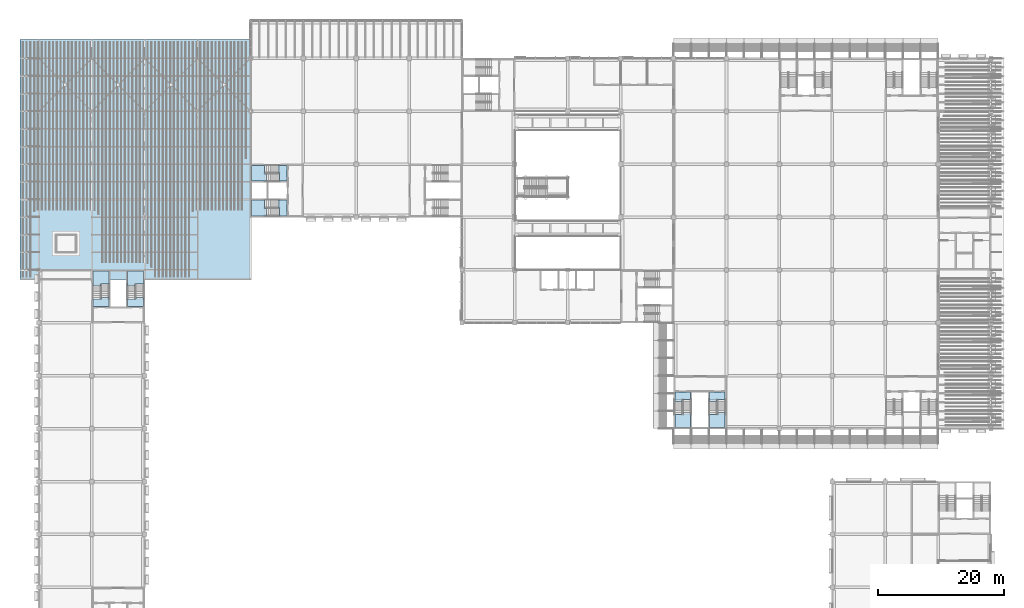
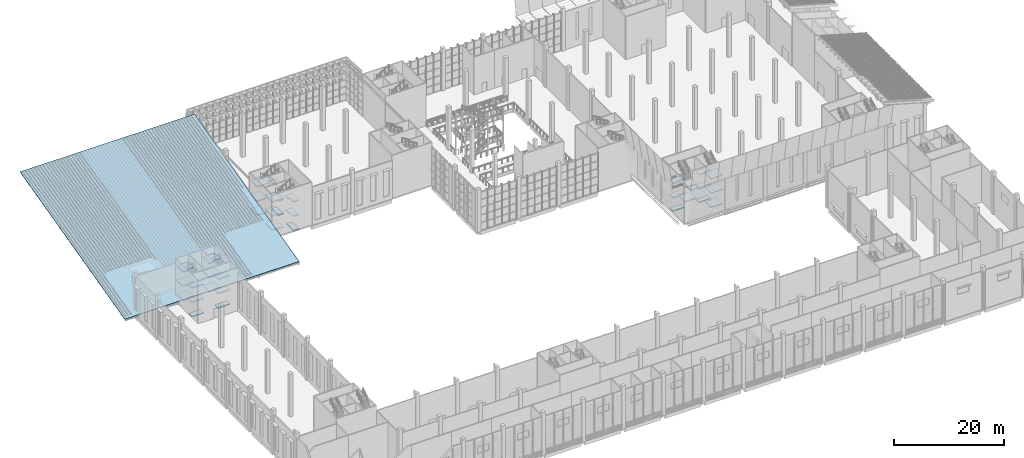
# One storey, part 31 of 114: 36 slabs, 6 elements without a shape of their own.
"""IFC4 building model written with IfcOpenShell, lengths in metres."""

from ifc_helpers import new_model, si_unit, direction, frame, origin, place, context, subcontext, project, spatial, polyline, outline, extrude, material, layer, layer_set, type_object, element, aggregate, save


model = new_model("IFC4")

# Units and contexts
model_context = context("Model", 3, precision=1e-05, world=origin(), true_north=direction((0.0, 1.0)))
body_context = subcontext(model_context, "Body", "Model", "MODEL_VIEW")
ifc_project = project(units=[si_unit("LENGTHUNIT", "METRE"), si_unit("AREAUNIT", "SQUARE_METRE"), si_unit("VOLUMEUNIT", "CUBIC_METRE"), si_unit("PLANEANGLEUNIT", "RADIAN"), si_unit("MASSUNIT", "GRAM", prefix="KILO")], contexts=[model_context])

# Site, building, storey
site_placement = place(None, origin())
site = spatial("IfcSite", under=ifc_project, at=site_placement, CompositionType="ELEMENT")
building_placement = place(site_placement, origin())
building = spatial("IfcBuilding", under=site, at=building_placement, Name="Almond Square Museum", CompositionType="ELEMENT")
storey_placement = place(building_placement, frame((0.0, 0.0, 10.5)))
storey = spatial("IfcBuildingStorey", under=building, at=storey_placement, Name="L02", CompositionType="ELEMENT", Elevation=10.5)

# Stair, slabs
ifc_material_1 = material(Name="Concrete C40/50", Category="concrete")
stair_type = type_object("IfcStairType", Name="Exit stair 54 risers of 176 mm", PredefinedType="HALF_TURN_STAIR", material=ifc_material_1)
stair_1_placement = place(storey_placement, origin())
stair_1 = element("IfcStair", 1, at=stair_1_placement, inside=storey, type_object=stair_type, Name="L02 stair H1-1", PredefinedType="HALF_TURN_STAIR")
ifc_material_2 = material(Name="Concrete C40/50", Category="concrete")
ifc_layer_1 = layer(ifc_material_2, 0.199951171875)
ifc_layer_set_1 = layer_set([ifc_layer_1], Name="Concrete C40/50")
slab_type_1 = type_object("IfcSlabType", Name="Concrete stair landing 200", PredefinedType="LANDING", material=ifc_layer_set_1)
slab_1_placement = place(storey_placement, frame((0.0, 0.0, 2.966552734375)))
slab_1 = element("IfcSlab", 2, at=slab_1_placement, type_object=slab_type_1, Name="ST-01 landing 2", PredefinedType="LANDING", context=body_context, shape_type="SweptSolid", body=[
    extrude(outline(polyline([(107.0, 56.199951171875), (107.0, 55.050048828125), (107.0, 54.75), (108.14990234375, 54.75), (108.14990234375, 55.047119140625), (109.5, 55.047119140625), (109.5, 56.199951171875), (107.0, 56.199951171875)])), origin(), (0.0, 0.0, 1.0), 0.2001953125),
])
slab_2_placement = place(storey_placement, frame((0.0, 0.0, 4.550048828125)))
slab_2 = element("IfcSlab", 3, at=slab_2_placement, type_object=slab_type_1, Name="ST-01 landing 3", PredefinedType="LANDING", context=body_context, shape_type="SweptSolid", body=[
    extrude(outline(polyline([(107.0, 52.653076171875), (107.0, 50.60009765625), (109.5, 50.60009765625), (109.5, 52.949951171875), (108.35009765625, 52.949951171875), (108.35009765625, 52.653076171875), (107.0, 52.653076171875)])), origin(), (0.0, 0.0, 1.0), 0.199951171875),
])
slab_3_placement = place(storey_placement, frame((0.0, 0.0, 6.13330078125)))
slab_3 = element("IfcSlab", 4, at=slab_3_placement, type_object=slab_type_1, Name="ST-01 landing 4", PredefinedType="LANDING", context=body_context, shape_type="SweptSolid", body=[
    extrude(outline(polyline([(107.0, 56.199951171875), (107.0, 55.050048828125), (107.0, 54.75), (108.14990234375, 54.75), (108.14990234375, 55.047119140625), (109.5, 55.047119140625), (109.5, 56.199951171875), (107.0, 56.199951171875)])), origin(), (0.0, 0.0, 1.0), 0.199951171875),
])
slab_4_placement = place(storey_placement, frame((0.0, 0.0, 7.716552734375)))
slab_4 = element("IfcSlab", 5, at=slab_4_placement, type_object=slab_type_1, Name="ST-01 landing 5", PredefinedType="LANDING", context=body_context, shape_type="SweptSolid", body=[
    extrude(outline(polyline([(107.0, 52.653076171875), (107.0, 50.60009765625), (109.5, 50.60009765625), (109.5, 52.949951171875), (108.35009765625, 52.949951171875), (108.35009765625, 52.653076171875), (107.0, 52.653076171875)])), origin(), (0.0, 0.0, 1.0), 0.2001953125),
])
aggregate(stair_1, [slab_1, slab_2, slab_3, slab_4])

stair_2_placement = place(storey_placement, origin())
stair_2 = element("IfcStair", 6, at=stair_2_placement, inside=storey, type_object=stair_type, Name="L02 stair H1-2", PredefinedType="HALF_TURN_STAIR")
slab_5_placement = place(storey_placement, frame((0.0, 0.0, 1.38330078125)))
slab_5 = element("IfcSlab", 7, at=slab_5_placement, type_object=slab_type_1, Name="ST-02 landing 1", PredefinedType="LANDING", context=body_context, shape_type="SweptSolid", body=[
    extrude(outline(polyline([(112.5, 52.653076171875), (112.5, 50.60009765625), (115.0, 50.60009765625), (115.0, 52.949951171875), (113.85009765625, 52.949951171875), (113.85009765625, 52.653076171875), (112.5, 52.653076171875)])), origin(), (0.0, 0.0, 1.0), 0.199951171875),
])
slab_6_placement = place(storey_placement, frame((0.0, 0.0, 2.966552734375)))
slab_6 = element("IfcSlab", 8, at=slab_6_placement, type_object=slab_type_1, Name="ST-02 landing 2", PredefinedType="LANDING", context=body_context, shape_type="SweptSolid", body=[
    extrude(outline(polyline([(112.5, 56.199951171875), (112.5, 55.050048828125), (112.5, 54.75), (113.64990234375, 54.75), (113.64990234375, 55.047119140625), (115.0, 55.047119140625), (115.0, 56.199951171875), (112.5, 56.199951171875)])), origin(), (0.0, 0.0, 1.0), 0.2001953125),
])
slab_7_placement = place(storey_placement, frame((0.0, 0.0, 4.550048828125)))
slab_7 = element("IfcSlab", 9, at=slab_7_placement, type_object=slab_type_1, Name="ST-02 landing 3", PredefinedType="LANDING", context=body_context, shape_type="SweptSolid", body=[
    extrude(outline(polyline([(112.5, 52.653076171875), (112.5, 50.60009765625), (115.0, 50.60009765625), (115.0, 52.949951171875), (113.85009765625, 52.949951171875), (113.85009765625, 52.653076171875), (112.5, 52.653076171875)])), origin(), (0.0, 0.0, 1.0), 0.199951171875),
])
slab_8_placement = place(storey_placement, frame((0.0, 0.0, 6.13330078125)))
slab_8 = element("IfcSlab", 10, at=slab_8_placement, type_object=slab_type_1, Name="ST-02 landing 4", PredefinedType="LANDING", context=body_context, shape_type="SweptSolid", body=[
    extrude(outline(polyline([(112.5, 56.199951171875), (112.5, 55.050048828125), (112.5, 54.75), (113.64990234375, 54.75), (113.64990234375, 55.047119140625), (115.0, 55.047119140625), (115.0, 56.199951171875), (112.5, 56.199951171875)])), origin(), (0.0, 0.0, 1.0), 0.199951171875),
])
slab_9_placement = place(storey_placement, frame((0.0, 0.0, 7.716552734375)))
slab_9 = element("IfcSlab", 11, at=slab_9_placement, type_object=slab_type_1, Name="ST-02 landing 5", PredefinedType="LANDING", context=body_context, shape_type="SweptSolid", body=[
    extrude(outline(polyline([(112.5, 52.653076171875), (112.5, 50.60009765625), (115.0, 50.60009765625), (115.0, 52.949951171875), (113.85009765625, 52.949951171875), (113.85009765625, 52.653076171875), (112.5, 52.653076171875)])), origin(), (0.0, 0.0, 1.0), 0.2001953125),
])
aggregate(stair_2, [slab_5, slab_6, slab_7, slab_8, slab_9])

stair_3_placement = place(storey_placement, origin())
stair_3 = element("IfcStair", 12, at=stair_3_placement, inside=storey, type_object=stair_type, Name="L02 stair N1-1", PredefinedType="HALF_TURN_STAIR")
slab_10_placement = place(storey_placement, frame((0.0, 0.0, 1.38330078125)))
slab_10 = element("IfcSlab", 13, at=slab_10_placement, type_object=slab_type_1, Name="ST-17 landing 1", PredefinedType="LANDING", context=body_context, shape_type="SweptSolid", body=[
    extrude(outline(polyline([(41.85302734375, 86.699951171875), (39.800048828125, 86.699951171875), (39.800048828125, 84.199951171875), (42.14990234375, 84.199951171875), (42.14990234375, 85.35009765625), (41.85302734375, 85.35009765625), (41.85302734375, 86.699951171875)])), origin(), (0.0, 0.0, 1.0), 0.199951171875),
])
slab_11_placement = place(storey_placement, frame((0.0, 0.0, 2.966552734375)))
slab_11 = element("IfcSlab", 14, at=slab_11_placement, type_object=slab_type_1, Name="ST-17 landing 2", PredefinedType="LANDING", context=body_context, shape_type="SweptSolid", body=[
    extrude(outline(polyline([(45.39990234375, 86.699951171875), (44.25, 86.699951171875), (43.949951171875, 86.699951171875), (43.949951171875, 85.550048828125), (44.2470703125, 85.550048828125), (44.2470703125, 84.199951171875), (45.39990234375, 84.199951171875), (45.39990234375, 86.699951171875)])), origin(), (0.0, 0.0, 1.0), 0.2001953125),
])
slab_12_placement = place(storey_placement, frame((0.0, 0.0, 4.550048828125)))
slab_12 = element("IfcSlab", 15, at=slab_12_placement, type_object=slab_type_1, Name="ST-17 landing 3", PredefinedType="LANDING", context=body_context, shape_type="SweptSolid", body=[
    extrude(outline(polyline([(41.85302734375, 86.699951171875), (39.800048828125, 86.699951171875), (39.800048828125, 84.199951171875), (42.14990234375, 84.199951171875), (42.14990234375, 85.35009765625), (41.85302734375, 85.35009765625), (41.85302734375, 86.699951171875)])), origin(), (0.0, 0.0, 1.0), 0.199951171875),
])
slab_13_placement = place(storey_placement, frame((0.0, 0.0, 6.13330078125)))
slab_13 = element("IfcSlab", 16, at=slab_13_placement, type_object=slab_type_1, Name="ST-17 landing 4", PredefinedType="LANDING", context=body_context, shape_type="SweptSolid", body=[
    extrude(outline(polyline([(45.39990234375, 86.699951171875), (44.25, 86.699951171875), (43.949951171875, 86.699951171875), (43.949951171875, 85.550048828125), (44.2470703125, 85.550048828125), (44.2470703125, 84.199951171875), (45.39990234375, 84.199951171875), (45.39990234375, 86.699951171875)])), origin(), (0.0, 0.0, 1.0), 0.199951171875),
])
slab_14_placement = place(storey_placement, frame((0.0, 0.0, 7.716552734375)))
slab_14 = element("IfcSlab", 17, at=slab_14_placement, type_object=slab_type_1, Name="ST-17 landing 5", PredefinedType="LANDING", context=body_context, shape_type="SweptSolid", body=[
    extrude(outline(polyline([(41.85302734375, 86.699951171875), (39.800048828125, 86.699951171875), (39.800048828125, 84.199951171875), (42.14990234375, 84.199951171875), (42.14990234375, 85.35009765625), (41.85302734375, 85.35009765625), (41.85302734375, 86.699951171875)])), origin(), (0.0, 0.0, 1.0), 0.2001953125),
])
aggregate(stair_3, [slab_10, slab_11, slab_12, slab_13, slab_14])

stair_4_placement = place(storey_placement, origin())
stair_4 = element("IfcStair", 18, at=stair_4_placement, inside=storey, type_object=stair_type, Name="L02 stair N1-2", PredefinedType="HALF_TURN_STAIR")
slab_15_placement = place(storey_placement, frame((0.0, 0.0, 1.38330078125)))
slab_15 = element("IfcSlab", 19, at=slab_15_placement, type_object=slab_type_1, Name="ST-18 landing 1", PredefinedType="LANDING", context=body_context, shape_type="SweptSolid", body=[
    extrude(outline(polyline([(41.85302734375, 92.199951171875), (39.800048828125, 92.199951171875), (39.800048828125, 89.699951171875), (42.14990234375, 89.699951171875), (42.14990234375, 90.85009765625), (41.85302734375, 90.85009765625), (41.85302734375, 92.199951171875)])), origin(), (0.0, 0.0, 1.0), 0.199951171875),
])
slab_16_placement = place(storey_placement, frame((0.0, 0.0, 2.966552734375)))
slab_16 = element("IfcSlab", 20, at=slab_16_placement, type_object=slab_type_1, Name="ST-18 landing 2", PredefinedType="LANDING", context=body_context, shape_type="SweptSolid", body=[
    extrude(outline(polyline([(45.39990234375, 92.199951171875), (44.25, 92.199951171875), (43.949951171875, 92.199951171875), (43.949951171875, 91.050048828125), (44.2470703125, 91.050048828125), (44.2470703125, 89.699951171875), (45.39990234375, 89.699951171875), (45.39990234375, 92.199951171875)])), origin(), (0.0, 0.0, 1.0), 0.2001953125),
])
slab_17_placement = place(storey_placement, frame((0.0, 0.0, 4.550048828125)))
slab_17 = element("IfcSlab", 21, at=slab_17_placement, type_object=slab_type_1, Name="ST-18 landing 3", PredefinedType="LANDING", context=body_context, shape_type="SweptSolid", body=[
    extrude(outline(polyline([(41.85302734375, 92.199951171875), (39.800048828125, 92.199951171875), (39.800048828125, 89.699951171875), (42.14990234375, 89.699951171875), (42.14990234375, 90.85009765625), (41.85302734375, 90.85009765625), (41.85302734375, 92.199951171875)])), origin(), (0.0, 0.0, 1.0), 0.199951171875),
])
slab_18_placement = place(storey_placement, frame((0.0, 0.0, 6.13330078125)))
slab_18 = element("IfcSlab", 22, at=slab_18_placement, type_object=slab_type_1, Name="ST-18 landing 4", PredefinedType="LANDING", context=body_context, shape_type="SweptSolid", body=[
    extrude(outline(polyline([(45.39990234375, 92.199951171875), (44.25, 92.199951171875), (43.949951171875, 92.199951171875), (43.949951171875, 91.050048828125), (44.2470703125, 91.050048828125), (44.2470703125, 89.699951171875), (45.39990234375, 89.699951171875), (45.39990234375, 92.199951171875)])), origin(), (0.0, 0.0, 1.0), 0.199951171875),
])
slab_19_placement = place(storey_placement, frame((0.0, 0.0, 7.716552734375)))
slab_19 = element("IfcSlab", 23, at=slab_19_placement, type_object=slab_type_1, Name="ST-18 landing 5", PredefinedType="LANDING", context=body_context, shape_type="SweptSolid", body=[
    extrude(outline(polyline([(41.85302734375, 92.199951171875), (39.800048828125, 92.199951171875), (39.800048828125, 89.699951171875), (42.14990234375, 89.699951171875), (42.14990234375, 90.85009765625), (41.85302734375, 90.85009765625), (41.85302734375, 92.199951171875)])), origin(), (0.0, 0.0, 1.0), 0.2001953125),
])
aggregate(stair_4, [slab_15, slab_16, slab_17, slab_18, slab_19])

stair_5_placement = place(storey_placement, origin())
stair_5 = element("IfcStair", 24, at=stair_5_placement, inside=storey, type_object=stair_type, Name="L02 stair W2-1", PredefinedType="HALF_TURN_STAIR")
slab_20_placement = place(storey_placement, frame((0.0, 0.0, 1.38330078125)))
slab_20 = element("IfcSlab", 25, at=slab_20_placement, type_object=slab_type_1, Name="ST-23 landing 1", PredefinedType="LANDING", context=body_context, shape_type="SweptSolid", body=[
    extrude(outline(polyline([(17.10009765625, 73.346923828125), (17.10009765625, 75.39990234375), (14.60009765625, 75.39990234375), (14.60009765625, 73.050048828125), (15.75, 73.050048828125), (15.75, 73.346923828125), (17.10009765625, 73.346923828125)])), origin(), (0.0, 0.0, 1.0), 0.199951171875),
])
slab_21_placement = place(storey_placement, frame((0.0, 0.0, 2.966552734375)))
slab_21 = element("IfcSlab", 26, at=slab_21_placement, type_object=slab_type_1, Name="ST-23 landing 2", PredefinedType="LANDING", context=body_context, shape_type="SweptSolid", body=[
    extrude(outline(polyline([(17.10009765625, 69.800048828125), (17.10009765625, 70.949951171875), (17.10009765625, 71.25), (15.949951171875, 71.25), (15.949951171875, 70.952880859375), (14.60009765625, 70.952880859375), (14.60009765625, 69.800048828125), (17.10009765625, 69.800048828125)])), origin(), (0.0, 0.0, 1.0), 0.2001953125),
])
slab_22_placement = place(storey_placement, frame((0.0, 0.0, 4.550048828125)))
slab_22 = element("IfcSlab", 27, at=slab_22_placement, type_object=slab_type_1, Name="ST-23 landing 3", PredefinedType="LANDING", context=body_context, shape_type="SweptSolid", body=[
    extrude(outline(polyline([(17.10009765625, 73.346923828125), (17.10009765625, 75.39990234375), (14.60009765625, 75.39990234375), (14.60009765625, 73.050048828125), (15.75, 73.050048828125), (15.75, 73.346923828125), (17.10009765625, 73.346923828125)])), origin(), (0.0, 0.0, 1.0), 0.199951171875),
])
slab_23_placement = place(storey_placement, frame((0.0, 0.0, 6.13330078125)))
slab_23 = element("IfcSlab", 28, at=slab_23_placement, type_object=slab_type_1, Name="ST-23 landing 4", PredefinedType="LANDING", context=body_context, shape_type="SweptSolid", body=[
    extrude(outline(polyline([(17.10009765625, 69.800048828125), (17.10009765625, 70.949951171875), (17.10009765625, 71.25), (15.949951171875, 71.25), (15.949951171875, 70.952880859375), (14.60009765625, 70.952880859375), (14.60009765625, 69.800048828125), (17.10009765625, 69.800048828125)])), origin(), (0.0, 0.0, 1.0), 0.199951171875),
])
slab_24_placement = place(storey_placement, frame((0.0, 0.0, 7.716552734375)))
slab_24 = element("IfcSlab", 29, at=slab_24_placement, type_object=slab_type_1, Name="ST-23 landing 5", PredefinedType="LANDING", context=body_context, shape_type="SweptSolid", body=[
    extrude(outline(polyline([(17.10009765625, 73.346923828125), (17.10009765625, 75.39990234375), (14.60009765625, 75.39990234375), (14.60009765625, 73.050048828125), (15.75, 73.050048828125), (15.75, 73.346923828125), (17.10009765625, 73.346923828125)])), origin(), (0.0, 0.0, 1.0), 0.2001953125),
])
aggregate(stair_5, [slab_20, slab_21, slab_22, slab_23, slab_24])

stair_6_placement = place(storey_placement, origin())
stair_6 = element("IfcStair", 30, at=stair_6_placement, inside=storey, type_object=stair_type, Name="L02 stair W2-2", PredefinedType="HALF_TURN_STAIR")
slab_25_placement = place(storey_placement, frame((0.0, 0.0, 1.38330078125)))
slab_25 = element("IfcSlab", 31, at=slab_25_placement, type_object=slab_type_1, Name="ST-24 landing 1", PredefinedType="LANDING", context=body_context, shape_type="SweptSolid", body=[
    extrude(outline(polyline([(22.60009765625, 73.346923828125), (22.60009765625, 75.39990234375), (20.10009765625, 75.39990234375), (20.10009765625, 73.050048828125), (21.25, 73.050048828125), (21.25, 73.346923828125), (22.60009765625, 73.346923828125)])), origin(), (0.0, 0.0, 1.0), 0.199951171875),
])
slab_26_placement = place(storey_placement, frame((0.0, 0.0, 2.966552734375)))
slab_26 = element("IfcSlab", 32, at=slab_26_placement, type_object=slab_type_1, Name="ST-24 landing 2", PredefinedType="LANDING", context=body_context, shape_type="SweptSolid", body=[
    extrude(outline(polyline([(22.60009765625, 69.800048828125), (22.60009765625, 70.949951171875), (22.60009765625, 71.25), (21.449951171875, 71.25), (21.449951171875, 70.952880859375), (20.10009765625, 70.952880859375), (20.10009765625, 69.800048828125), (22.60009765625, 69.800048828125)])), origin(), (0.0, 0.0, 1.0), 0.2001953125),
])
slab_27_placement = place(storey_placement, frame((0.0, 0.0, 4.550048828125)))
slab_27 = element("IfcSlab", 33, at=slab_27_placement, type_object=slab_type_1, Name="ST-24 landing 3", PredefinedType="LANDING", context=body_context, shape_type="SweptSolid", body=[
    extrude(outline(polyline([(22.60009765625, 73.346923828125), (22.60009765625, 75.39990234375), (20.10009765625, 75.39990234375), (20.10009765625, 73.050048828125), (21.25, 73.050048828125), (21.25, 73.346923828125), (22.60009765625, 73.346923828125)])), origin(), (0.0, 0.0, 1.0), 0.199951171875),
])
slab_28_placement = place(storey_placement, frame((0.0, 0.0, 6.13330078125)))
slab_28 = element("IfcSlab", 34, at=slab_28_placement, type_object=slab_type_1, Name="ST-24 landing 4", PredefinedType="LANDING", context=body_context, shape_type="SweptSolid", body=[
    extrude(outline(polyline([(22.60009765625, 69.800048828125), (22.60009765625, 70.949951171875), (22.60009765625, 71.25), (21.449951171875, 71.25), (21.449951171875, 70.952880859375), (20.10009765625, 70.952880859375), (20.10009765625, 69.800048828125), (22.60009765625, 69.800048828125)])), origin(), (0.0, 0.0, 1.0), 0.199951171875),
])
slab_29_placement = place(storey_placement, frame((0.0, 0.0, 7.716552734375)))
slab_29 = element("IfcSlab", 35, at=slab_29_placement, type_object=slab_type_1, Name="ST-24 landing 5", PredefinedType="LANDING", context=body_context, shape_type="SweptSolid", body=[
    extrude(outline(polyline([(22.60009765625, 73.346923828125), (22.60009765625, 75.39990234375), (20.10009765625, 75.39990234375), (20.10009765625, 73.050048828125), (21.25, 73.050048828125), (21.25, 73.346923828125), (22.60009765625, 73.346923828125)])), origin(), (0.0, 0.0, 1.0), 0.2001953125),
])
aggregate(stair_6, [slab_25, slab_26, slab_27, slab_28, slab_29])

# Slabs
slab_30_placement = place(storey_placement, frame((0.0, 0.0, -0.199951171875)))
element("IfcSlab", 36, at=slab_30_placement, inside=storey, type_object=slab_type_1, Name="L02 stair H1-1 floor landing", PredefinedType="LANDING", context=body_context, shape_type="SweptSolid", body=[
    extrude(outline(polyline([(107.0, 55.047119140625), (109.5, 55.047119140625), (109.5, 56.199951171875), (107.0, 56.199951171875), (107.0, 55.047119140625)])), origin(), (0.0, 0.0, 1.0), 0.199951171875),
])
slab_31_placement = place(storey_placement, frame((0.0, 0.0, -0.199951171875)))
element("IfcSlab", 37, at=slab_31_placement, inside=storey, type_object=slab_type_1, Name="L02 stair H1-2 floor landing", PredefinedType="LANDING", context=body_context, shape_type="SweptSolid", body=[
    extrude(outline(polyline([(112.5, 55.047119140625), (115.0, 55.047119140625), (115.0, 56.199951171875), (112.5, 56.199951171875), (112.5, 55.047119140625)])), origin(), (0.0, 0.0, 1.0), 0.199951171875),
])
slab_32_placement = place(storey_placement, frame((0.0, 0.0, -0.199951171875)))
element("IfcSlab", 38, at=slab_32_placement, inside=storey, type_object=slab_type_1, Name="L02 stair N1-1 floor landing", PredefinedType="LANDING", context=body_context, shape_type="SweptSolid", body=[
    extrude(outline(polyline([(44.2470703125, 84.199951171875), (45.39990234375, 84.199951171875), (45.39990234375, 86.699951171875), (44.2470703125, 86.699951171875), (44.2470703125, 84.199951171875)])), origin(), (0.0, 0.0, 1.0), 0.199951171875),
])
slab_33_placement = place(storey_placement, frame((0.0, 0.0, -0.199951171875)))
element("IfcSlab", 39, at=slab_33_placement, inside=storey, type_object=slab_type_1, Name="L02 stair N1-2 floor landing", PredefinedType="LANDING", context=body_context, shape_type="SweptSolid", body=[
    extrude(outline(polyline([(44.2470703125, 89.699951171875), (45.39990234375, 89.699951171875), (45.39990234375, 92.199951171875), (44.2470703125, 92.199951171875), (44.2470703125, 89.699951171875)])), origin(), (0.0, 0.0, 1.0), 0.199951171875),
])
slab_34_placement = place(storey_placement, frame((0.0, 0.0, -0.199951171875)))
element("IfcSlab", 40, at=slab_34_placement, inside=storey, type_object=slab_type_1, Name="L02 stair W2-1 floor landing", PredefinedType="LANDING", context=body_context, shape_type="SweptSolid", body=[
    extrude(outline(polyline([(14.60009765625, 69.800048828125), (17.10009765625, 69.800048828125), (17.10009765625, 70.952880859375), (14.60009765625, 70.952880859375), (14.60009765625, 69.800048828125)])), origin(), (0.0, 0.0, 1.0), 0.199951171875),
])
slab_35_placement = place(storey_placement, frame((0.0, 0.0, -0.199951171875)))
element("IfcSlab", 41, at=slab_35_placement, inside=storey, type_object=slab_type_1, Name="L02 stair W2-2 floor landing", PredefinedType="LANDING", context=body_context, shape_type="SweptSolid", body=[
    extrude(outline(polyline([(20.10009765625, 69.800048828125), (22.60009765625, 69.800048828125), (22.60009765625, 70.952880859375), (20.10009765625, 70.952880859375), (20.10009765625, 69.800048828125)])), origin(), (0.0, 0.0, 1.0), 0.199951171875),
])
ifc_material_3 = material(Name="Timber deck and copper sheet", Category="wood")
ifc_layer_2 = layer(ifc_material_3, 0.10009765625)
ifc_layer_set_2 = layer_set([ifc_layer_2], Name="Timber deck and copper sheet")
slab_type_2 = type_object("IfcSlabType", Name="Timber deck and copper roof 100", PredefinedType="ROOF", material=ifc_layer_set_2)
slab_36_placement = place(storey_placement, frame((3.0, 74.10009765625, 0.820556640625), z_axis=(0.0, -0.245251968849, 0.969459370874), x_axis=(1.0, 0.0, 0.0)))
element("IfcSlab", 42, at=slab_36_placement, inside=storey, type_object=slab_type_2, Name="Roof covering RF-V3", PredefinedType="ROOF", context=body_context, shape_type="SweptSolid", body=[
    extrude(outline(polyline([(0.0, 0.0), (36.60009765625, 0.0), (36.60009765625, 39.30010339811909), (0.0, 39.30010339811909), (0.0, 0.0)])), origin(), (0.0, 0.0, -1.0), 0.10009765625),
])

save(model, "model.ifc")
